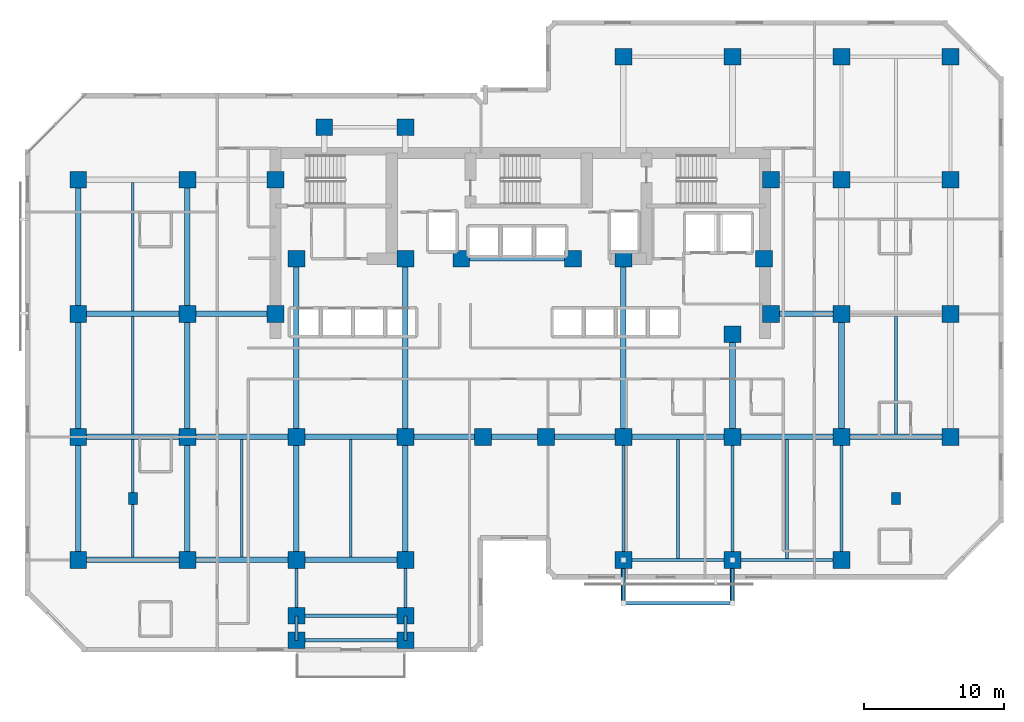
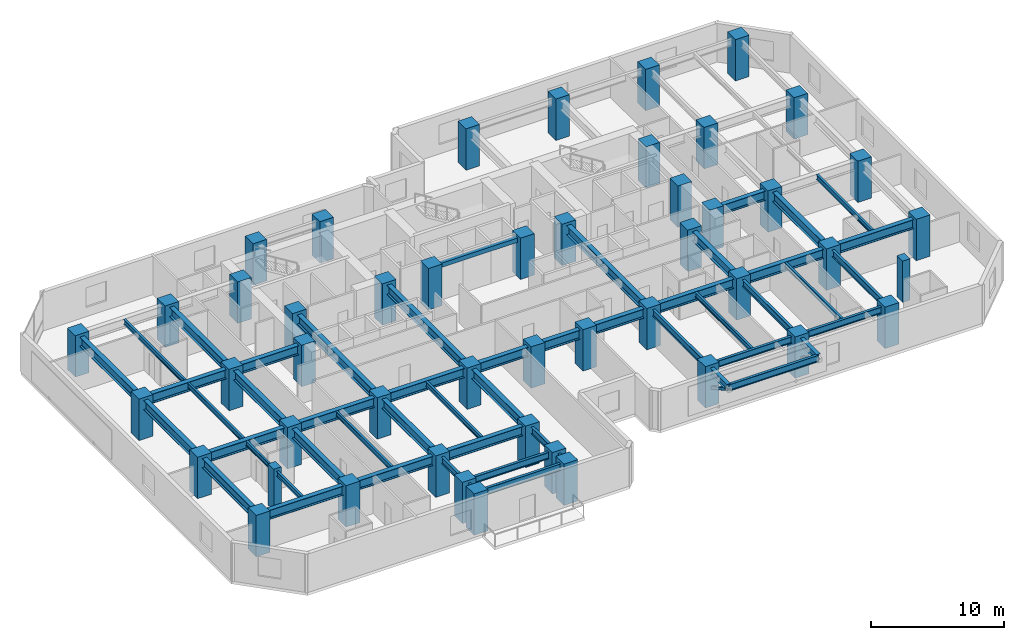
# One storey, part 1 of 12: 51 beams, 48 columns, 2 members.
"""IFC4 building model written with IfcOpenShell, lengths in metres."""

from ifc_helpers import new_model, si_unit, direction, frame, origin, origin_2d, place, context, subcontext, project, spatial, rectangle, hollow_rectangle, i_section, extrude, material, material_profile, profile_set, type_object, element, save


model = new_model("IFC4")

# Units and contexts
model_context = context("Model", 3, precision=1e-05, world=origin(), true_north=direction((0.0, 1.0)))
body_context = subcontext(model_context, "Body", "Model", "MODEL_VIEW")
ifc_project = project(units=[si_unit("LENGTHUNIT", "METRE"), si_unit("AREAUNIT", "SQUARE_METRE"), si_unit("VOLUMEUNIT", "CUBIC_METRE"), si_unit("PLANEANGLEUNIT", "RADIAN"), si_unit("MASSUNIT", "GRAM", prefix="KILO")], contexts=[model_context])

# Site, building, storey
site_placement = place(None, origin())
site = spatial("IfcSite", under=ifc_project, at=site_placement, CompositionType="ELEMENT")
building_placement = place(site_placement, origin())
building = spatial("IfcBuilding", under=site, at=building_placement, Name="Kestravale Grand Hotel", CompositionType="ELEMENT")
storey_placement = place(building_placement, frame((0.0, 0.0, 103.199951171875)))
storey = spatial("IfcBuildingStorey", under=building, at=storey_placement, Name="L25", CompositionType="ELEMENT", Elevation=103.199951171875)

# Columns
ifc_material_1 = material(Name="Precast concrete f'c 45 MPa", Category="concrete")
ifc_material_profile_1 = material_profile(ifc_material_1, rectangle(XDim=0.64990234375, YDim=0.85009765625, at=origin_2d()))
ifc_profile_set_1 = profile_set([ifc_material_profile_1], Name="Precast concrete f'c 45 MPa")
column_type_1 = type_object("IfcColumnType", Name="C-Z1-PIL850", PredefinedType="PILASTER", material=ifc_profile_set_1)
for number, where, z_axis, x_axis, name in (
    (1, (11.699951171875, 15.60009765625, 0.0), (0.0, 0.0, 1.0), (1.0, 0.0, 0.0), "L25 Art Deco fluted pilaster P1"),
    (2, (66.300048828125, 15.60009765625, 0.0), (0.0, 0.0, 1.0), (1.0, 0.0, 0.0), "L25 Art Deco fluted pilaster P2"),
):
    element("IfcColumn", number, at=place(storey_placement, frame(where, z_axis=z_axis, x_axis=x_axis)), inside=storey, type_object=column_type_1, Name=name, PredefinedType="PILASTER", context=body_context, shape_type="SweptSolid", body=[
        extrude(rectangle(XDim=0.64990234375, YDim=0.85009765625, at=origin_2d()), origin(), (0.0, 0.0, 1.0), 3.800048828125),
    ])
ifc_material_2 = material(Name="Concrete f'c 60 MPa", Category="concrete")
ifc_material_profile_2 = material_profile(ifc_material_2, rectangle(XDim=1.199951171875, YDim=1.199951171875, at=origin_2d()))
ifc_profile_set_2 = profile_set([ifc_material_profile_2], Name="Concrete f'c 60 MPa")
column_type_2 = type_object("IfcColumnType", Name="C-Z2-1200", PredefinedType="COLUMN", material=ifc_profile_set_2)
for number, where, z_axis, x_axis, name in (
    (3, (7.800048828125, 11.199951171875, 0.0), (0.0, 0.0, 1.0), (1.0, 0.0, 0.0), "L25 column 2-C"),
    (4, (7.800048828125, 20.0, 0.0), (0.0, 0.0, 1.0), (1.0, 0.0, 0.0), "L25 column 2-D"),
    (5, (7.800048828125, 28.800048828125, 0.0), (0.0, 0.0, 1.0), (1.0, 0.0, 0.0), "L25 column 2-E"),
    (6, (7.800048828125, 38.39990234375, 0.0), (0.0, 0.0, 1.0), (1.0, 0.0, 0.0), "L25 column 2-F"),
    (7, (15.60009765625, 11.199951171875, 0.0), (0.0, 0.0, 1.0), (1.0, 0.0, 0.0), "L25 column 3-C"),
    (8, (15.60009765625, 20.0, 0.0), (0.0, 0.0, 1.0), (1.0, 0.0, 0.0), "L25 column 3-D"),
    (9, (15.60009765625, 28.800048828125, 0.0), (0.0, 0.0, 1.0), (1.0, 0.0, 0.0), "L25 column 3-E"),
    (10, (15.60009765625, 38.39990234375, 0.0), (0.0, 0.0, 1.0), (1.0, 0.0, 0.0), "L25 column 3-F"),
    (11, (23.39990234375, 11.199951171875, 0.0), (0.0, 0.0, 1.0), (1.0, 0.0, 0.0), "L25 column 4-C"),
    (12, (23.39990234375, 20.0, 0.0), (0.0, 0.0, 1.0), (1.0, 0.0, 0.0), "L25 column 4-D"),
    (13, (31.199951171875, 11.199951171875, 0.0), (0.0, 0.0, 1.0), (1.0, 0.0, 0.0), "L25 column 5-C"),
    (14, (31.199951171875, 20.0, 0.0), (0.0, 0.0, 1.0), (1.0, 0.0, 0.0), "L25 column 5-D"),
    (15, (36.75, 20.0, 0.0), (0.0, 0.0, 1.0), (1.0, 0.0, 0.0), "L25 column 6-D"),
    (16, (41.25, 20.0, 0.0), (0.0, 0.0, 1.0), (1.0, 0.0, 0.0), "L25 column 7-D"),
    (17, (46.800048828125, 11.199951171875, 0.0), (0.0, 0.0, 1.0), (1.0, 0.0, 0.0), "L25 column 8-C"),
    (18, (46.800048828125, 20.0, 0.0), (0.0, 0.0, 1.0), (1.0, 0.0, 0.0), "L25 column 8-D"),
    (19, (46.800048828125, 47.199951171875, 0.0), (0.0, 0.0, 1.0), (1.0, 0.0, 0.0), "L25 column 8-G"),
    (20, (54.60009765625, 11.199951171875, 0.0), (0.0, 0.0, 1.0), (1.0, 0.0, 0.0), "L25 column 9-C"),
    (21, (54.60009765625, 20.0, 0.0), (0.0, 0.0, 1.0), (1.0, 0.0, 0.0), "L25 column 9-D"),
    (22, (54.60009765625, 47.199951171875, 0.0), (0.0, 0.0, 1.0), (1.0, 0.0, 0.0), "L25 column 9-G"),
    (23, (62.39990234375, 11.199951171875, 0.0), (0.0, 0.0, 1.0), (1.0, 0.0, 0.0), "L25 column 10-C"),
    (24, (62.39990234375, 20.0, 0.0), (0.0, 0.0, 1.0), (1.0, 0.0, 0.0), "L25 column 10-D"),
    (25, (62.39990234375, 28.800048828125, 0.0), (0.0, 0.0, 1.0), (1.0, 0.0, 0.0), "L25 column 10-E"),
    (26, (62.39990234375, 38.39990234375, 0.0), (0.0, 0.0, 1.0), (1.0, 0.0, 0.0), "L25 column 10-F"),
    (27, (62.39990234375, 47.199951171875, 0.0), (0.0, 0.0, 1.0), (1.0, 0.0, 0.0), "L25 column 10-G"),
    (28, (70.199951171875, 20.0, 0.0), (0.0, 0.0, 1.0), (1.0, 0.0, 0.0), "L25 column 11-D"),
    (29, (70.199951171875, 28.800048828125, 0.0), (0.0, 0.0, 1.0), (1.0, 0.0, 0.0), "L25 column 11-E"),
    (30, (70.199951171875, 38.39990234375, 0.0), (0.0, 0.0, 1.0), (1.0, 0.0, 0.0), "L25 column 11-F"),
    (31, (70.199951171875, 47.199951171875, 0.0), (0.0, 0.0, 1.0), (1.0, 0.0, 0.0), "L25 column 11-G"),
    (32, (21.89990234375, 28.800048828125, 0.0), (0.0, 0.0, 1.0), (1.0, 0.0, 0.0), "L25 column CW-E"),
    (33, (21.89990234375, 38.39990234375, 0.0), (0.0, 0.0, 1.0), (1.0, 0.0, 0.0), "L25 column CW-F"),
    (34, (57.35009765625, 28.800048828125, 0.0), (0.0, 0.0, 1.0), (1.0, 0.0, 0.0), "L25 column CE-E"),
    (35, (57.35009765625, 38.39990234375, 0.0), (0.0, 0.0, 1.0), (1.0, 0.0, 0.0), "L25 column CE-F"),
    (36, (23.39990234375, 32.75, 0.0), (0.0, 0.0, 1.0), (1.0, 0.0, 0.0), "L25 column 4-CS"),
    (37, (31.199951171875, 32.75, 0.0), (0.0, 0.0, 1.0), (1.0, 0.0, 0.0), "L25 column 5-CS"),
    (38, (35.199951171875, 32.75, 0.0), (0.0, 0.0, 1.0), (1.0, 0.0, 0.0), "L25 column 6C-CS"),
    (39, (43.199951171875, 32.75, 0.0), (0.0, 0.0, 1.0), (1.0, 0.0, 0.0), "L25 column 7C-CS"),
    (40, (46.800048828125, 32.75, 0.0), (0.0, 0.0, 1.0), (1.0, 0.0, 0.0), "L25 column 8-CS"),
    (41, (54.60009765625, 27.35009765625, 0.0), (0.0, 0.0, 1.0), (1.0, 0.0, 0.0), "L25 column 9-CS"),
    (42, (56.85009765625, 32.75, 0.0), (0.0, 0.0, 1.0), (1.0, 0.0, 0.0), "L25 column 9C-CS"),
    (43, (23.39990234375, 7.199951171875, 0.0), (0.0, 0.0, 1.0), (1.0, 0.0, 0.0), "L25 column 4-BS"),
    (44, (31.199951171875, 7.199951171875, 0.0), (0.0, 0.0, 1.0), (1.0, 0.0, 0.0), "L25 column 5-BS"),
    (45, (25.39990234375, 42.14990234375, 0.0), (0.0, 0.0, 1.0), (1.0, 0.0, 0.0), "L25 column 4-FN"),
    (46, (31.199951171875, 42.14990234375, 0.0), (0.0, 0.0, 1.0), (1.0, 0.0, 0.0), "L25 column 5-FN"),
    (47, (23.39990234375, 5.449951171875, 0.0), (0.0, 0.0, 1.0), (1.0, 0.0, 0.0), "L25 column 4-B1S"),
    (48, (31.199951171875, 5.449951171875, 0.0), (0.0, 0.0, 1.0), (1.0, 0.0, 0.0), "L25 column 5-B1S"),
):
    element("IfcColumn", number, at=place(storey_placement, frame(where, z_axis=z_axis, x_axis=x_axis)), inside=storey, type_object=column_type_2, Name=name, PredefinedType="COLUMN", context=body_context, shape_type="SweptSolid", body=[
        extrude(rectangle(XDim=1.199951171875, YDim=1.199951171875, at=origin_2d()), origin(), (0.0, 0.0, 1.0), 3.800048828125),
    ])

# Beams
ifc_material_3 = material(Name="Steel ASTM A992 Grade 50", Category="steel")
ifc_material_profile_3 = material_profile(ifc_material_3, i_section(OverallWidth=0.19091796875, OverallDepth=0.45703125, WebThickness=0.009033203125, FlangeThickness=0.014404296875, FilletRadius=0.015380859375, at=origin_2d()))
ifc_profile_set_3 = profile_set([ifc_material_profile_3], Name="Steel ASTM A992 Grade 50")
beam_type_1 = type_object("IfcBeamType", Name="B-FLR-JST18", PredefinedType="JOIST", material=ifc_profile_set_3)
for number, where, z_axis, x_axis, name in (
    (49, (11.699951171875, 11.400390625, 3.3115234375), (0.0, 1.0, 0.0), (-1.0, 0.0, 0.0), "L25 floor joist 2-3/C-D #1"),
    (50, (11.699951171875, 20.200439453125, 3.3115234375), (0.0, 1.0, 0.0), (-1.0, 0.0, 0.0), "L25 floor joist 2-3/D-E #1"),
):
    element("IfcBeam", number, at=place(storey_placement, frame(where, z_axis=z_axis, x_axis=x_axis)), inside=storey, type_object=beam_type_1, Name=name, PredefinedType="JOIST", context=body_context, shape_type="SweptSolid", body=[
        extrude(i_section(OverallWidth=0.19091796875, OverallDepth=0.45703125, WebThickness=0.009033203125, FlangeThickness=0.014404296875, FilletRadius=0.015380859375, at=origin_2d()), origin(), (0.0, 0.0, 1.0), 8.399169921875),
    ])
beam_1_placement = place(storey_placement, frame((11.699951171875, 29.00048828125, 3.3115234375), z_axis=(0.0, 1.0, 0.0), x_axis=(-1.0, 0.0, 0.0)))
element("IfcBeam", 51, at=beam_1_placement, inside=storey, type_object=beam_type_1, Name="L25 floor joist 2-3/E-F #1", PredefinedType="JOIST", context=body_context, shape_type="SweptSolid", body=[
    extrude(i_section(OverallWidth=0.19091796875, OverallDepth=0.45703125, WebThickness=0.009033203125, FlangeThickness=0.014404296875, FilletRadius=0.015380859375, at=origin_2d()), origin(), (0.0, 0.0, 1.0), 9.198974609375),
])
for number, where, z_axis, x_axis, name in (
    (52, (19.5, 11.400390625, 3.3115234375), (0.0, 1.0, 0.0), (-1.0, 0.0, 0.0), "L25 floor joist 3-4/C-D #1"),
    (53, (27.300048828125, 11.400390625, 3.3115234375), (0.0, 1.0, 0.0), (-1.0, 0.0, 0.0), "L25 floor joist 4-5/C-D #1"),
):
    element("IfcBeam", number, at=place(storey_placement, frame(where, z_axis=z_axis, x_axis=x_axis)), inside=storey, type_object=beam_type_1, Name=name, PredefinedType="JOIST", context=body_context, shape_type="SweptSolid", body=[
        extrude(i_section(OverallWidth=0.19091796875, OverallDepth=0.45703125, WebThickness=0.009033203125, FlangeThickness=0.014404296875, FilletRadius=0.015380859375, at=origin_2d()), origin(), (0.0, 0.0, 1.0), 8.399169921875),
    ])
for number, where, z_axis, x_axis, name in (
    (54, (50.699951171875, 11.314453125, 3.3115234375), (0.0, 1.0, 0.0), (-1.0, 0.0, 0.0), "L25 floor joist 8-9/C-D #1"),
    (55, (58.5, 11.314453125, 3.3115234375), (0.0, 1.0, 0.0), (-1.0, 0.0, 0.0), "L25 floor joist 9-10/C-D #1"),
):
    element("IfcBeam", number, at=place(storey_placement, frame(where, z_axis=z_axis, x_axis=x_axis)), inside=storey, type_object=beam_type_1, Name=name, PredefinedType="JOIST", context=body_context, shape_type="SweptSolid", body=[
        extrude(i_section(OverallWidth=0.19091796875, OverallDepth=0.45703125, WebThickness=0.009033203125, FlangeThickness=0.014404296875, FilletRadius=0.015380859375, at=origin_2d()), origin(), (0.0, 0.0, 1.0), 8.485107421875),
    ])
beam_2_placement = place(storey_placement, frame((66.300048828125, 20.200439453125, 3.3115234375), z_axis=(0.0, 1.0, 0.0), x_axis=(-1.0, 0.0, 0.0)))
element("IfcBeam", 56, at=beam_2_placement, inside=storey, type_object=beam_type_1, Name="L25 floor joist 10-11/D-E #1", PredefinedType="JOIST", context=body_context, shape_type="SweptSolid", body=[
    extrude(i_section(OverallWidth=0.19091796875, OverallDepth=0.45703125, WebThickness=0.009033203125, FlangeThickness=0.014404296875, FilletRadius=0.015380859375, at=origin_2d()), origin(), (0.0, 0.0, 1.0), 8.399169921875),
])
ifc_material_4 = material(Name="Concrete f'c 45 MPa", Category="concrete")
ifc_material_profile_4 = material_profile(ifc_material_4, rectangle(XDim=0.300048828125, YDim=0.39990234375, at=origin_2d()))
ifc_profile_set_4 = profile_set([ifc_material_profile_4], Name="Concrete f'c 45 MPa")
beam_type_2 = type_object("IfcBeamType", Name="B-FLR-LNT400", PredefinedType="LINTEL", material=ifc_profile_set_4)
beam_3_placement = place(storey_placement, frame((35.199951171875, 32.75, 3.340087890625), z_axis=(1.0, 0.0, 0.0), x_axis=(0.0, 1.0, 0.0)))
element("IfcBeam", 57, at=beam_3_placement, inside=storey, type_object=beam_type_2, Name="L25 core portal header lintel", PredefinedType="LINTEL", context=body_context, shape_type="SweptSolid", body=[
    extrude(rectangle(XDim=0.300048828125, YDim=0.39990234375, at=origin_2d()), origin(), (0.0, 0.0, 1.0), 8.0),
])
ifc_material_5 = material(Name="Steel ASTM A992 Grade 50", Category="steel")
ifc_material_profile_5 = material_profile(ifc_material_5, i_section(OverallWidth=0.324951171875, OverallDepth=0.612060546875, WebThickness=0.0126953125, FlangeThickness=0.01904296875, FilletRadius=0.018798828125, at=origin_2d()))
ifc_profile_set_5 = profile_set([ifc_material_profile_5], Name="Steel ASTM A992 Grade 50")
beam_type_3 = type_object("IfcBeamType", Name="B-FLR-W24A", PredefinedType="SPANDREL", material=ifc_profile_set_5)
for number, where, z_axis, x_axis, name in (
    (58, (46.800048828125, 11.199951171875, 3.22412109375), (0.0, -1.0, 0.0), (1.0, 0.0, 0.0), "L26 terrace cantilever beam 1"),
    (59, (54.60009765625, 11.199951171875, 3.22412109375), (0.0, -1.0, 0.0), (1.0, 0.0, 0.0), "L26 terrace cantilever beam 2"),
):
    element("IfcBeam", number, at=place(storey_placement, frame(where, z_axis=z_axis, x_axis=x_axis)), inside=storey, type_object=beam_type_3, Name=name, PredefinedType="SPANDREL", context=body_context, shape_type="SweptSolid", body=[
        extrude(i_section(OverallWidth=0.324951171875, OverallDepth=0.612060546875, WebThickness=0.0126953125, FlangeThickness=0.01904296875, FilletRadius=0.018798828125, at=origin_2d()), origin(), (0.0, 0.0, 1.0), 3.099853515625),
    ])
ifc_material_6 = material(Name="Steel ASTM A992 Grade 50", Category="steel")
ifc_material_profile_6 = material_profile(ifc_material_6, i_section(OverallWidth=0.22900390625, OverallDepth=0.612060546875, WebThickness=0.011962890625, FlangeThickness=0.01953125, FilletRadius=0.019287109375, at=origin_2d()))
ifc_profile_set_6 = profile_set([ifc_material_profile_6], Name="Steel ASTM A992 Grade 50")
beam_type_4 = type_object("IfcBeamType", Name="B-FLR-W24B", PredefinedType="SPANDREL", material=ifc_profile_set_6)
beam_4_placement = place(storey_placement, frame((46.800048828125, 11.199951171875, 3.234130859375), z_axis=(1.0, 0.0, 0.0), x_axis=(0.0, 1.0, 0.0)))
element("IfcBeam", 60, at=beam_4_placement, inside=storey, type_object=beam_type_4, Name="L25 spandrel C:8-9", PredefinedType="SPANDREL", context=body_context, shape_type="SweptSolid", body=[
    extrude(i_section(OverallWidth=0.22900390625, OverallDepth=0.612060546875, WebThickness=0.011962890625, FlangeThickness=0.01953125, FilletRadius=0.019287109375, at=origin_2d()), origin(), (0.0, 0.0, 1.0), 7.800048828125),
])
beam_5_placement = place(storey_placement, frame((54.60009765625, 11.199951171875, 3.234130859375), z_axis=(1.0, 0.0, 0.0), x_axis=(0.0, 1.0, 0.0)))
element("IfcBeam", 61, at=beam_5_placement, inside=storey, type_object=beam_type_4, Name="L25 spandrel C:9-10", PredefinedType="SPANDREL", context=body_context, shape_type="SweptSolid", body=[
    extrude(i_section(OverallWidth=0.22900390625, OverallDepth=0.612060546875, WebThickness=0.011962890625, FlangeThickness=0.01953125, FilletRadius=0.019287109375, at=origin_2d()), origin(), (0.0, 0.0, 1.0), 7.7998046875),
])
for number, where, z_axis, x_axis, name in (
    (62, (23.39990234375, 5.449951171875, 3.234130859375), (1.0, 0.0, 0.0), (0.0, 1.0, 0.0), "L25 perimeter tie spandrel B1S:4-5"),
    (63, (23.39990234375, 7.199951171875, 3.234130859375), (1.0, 0.0, 0.0), (0.0, 1.0, 0.0), "L25 perimeter tie spandrel BS:4-5"),
):
    element("IfcBeam", number, at=place(storey_placement, frame(where, z_axis=z_axis, x_axis=x_axis)), inside=storey, type_object=beam_type_4, Name=name, PredefinedType="SPANDREL", context=body_context, shape_type="SweptSolid", body=[
        extrude(i_section(OverallWidth=0.22900390625, OverallDepth=0.612060546875, WebThickness=0.011962890625, FlangeThickness=0.01953125, FilletRadius=0.019287109375, at=origin_2d()), origin(), (0.0, 0.0, 1.0), 7.800048828125),
    ])
beam_6_placement = place(storey_placement, frame((23.39990234375, 5.449951171875, 3.234130859375), z_axis=(0.0, 1.0, 0.0), x_axis=(-1.0, 0.0, 0.0)))
element("IfcBeam", 64, at=beam_6_placement, inside=storey, type_object=beam_type_4, Name="L25 spandrel 4:B1S-BS", PredefinedType="SPANDREL", context=body_context, shape_type="SweptSolid", body=[
    extrude(i_section(OverallWidth=0.22900390625, OverallDepth=0.612060546875, WebThickness=0.011962890625, FlangeThickness=0.01953125, FilletRadius=0.019287109375, at=origin_2d()), origin(), (0.0, 0.0, 1.0), 1.75),
])
beam_7_placement = place(storey_placement, frame((23.39990234375, 7.199951171875, 3.234130859375), z_axis=(0.0, 1.0, 0.0), x_axis=(-1.0, 0.0, 0.0)))
element("IfcBeam", 65, at=beam_7_placement, inside=storey, type_object=beam_type_4, Name="L25 spandrel 4:BS-C", PredefinedType="SPANDREL", context=body_context, shape_type="SweptSolid", body=[
    extrude(i_section(OverallWidth=0.22900390625, OverallDepth=0.612060546875, WebThickness=0.011962890625, FlangeThickness=0.01953125, FilletRadius=0.019287109375, at=origin_2d()), origin(), (0.0, 0.0, 1.0), 4.0),
])
beam_8_placement = place(storey_placement, frame((31.199951171875, 5.449951171875, 3.234130859375), z_axis=(0.0, 1.0, 0.0), x_axis=(-1.0, 0.0, 0.0)))
element("IfcBeam", 66, at=beam_8_placement, inside=storey, type_object=beam_type_4, Name="L25 spandrel 5:B1S-BS", PredefinedType="SPANDREL", context=body_context, shape_type="SweptSolid", body=[
    extrude(i_section(OverallWidth=0.22900390625, OverallDepth=0.612060546875, WebThickness=0.011962890625, FlangeThickness=0.01953125, FilletRadius=0.019287109375, at=origin_2d()), origin(), (0.0, 0.0, 1.0), 1.75),
])
beam_9_placement = place(storey_placement, frame((31.199951171875, 7.199951171875, 3.234130859375), z_axis=(0.0, 1.0, 0.0), x_axis=(-1.0, 0.0, 0.0)))
element("IfcBeam", 67, at=beam_9_placement, inside=storey, type_object=beam_type_4, Name="L25 spandrel 5:BS-C", PredefinedType="SPANDREL", context=body_context, shape_type="SweptSolid", body=[
    extrude(i_section(OverallWidth=0.22900390625, OverallDepth=0.612060546875, WebThickness=0.011962890625, FlangeThickness=0.01953125, FilletRadius=0.019287109375, at=origin_2d()), origin(), (0.0, 0.0, 1.0), 4.0),
])
for number, where, z_axis, x_axis, name in (
    (68, (46.800048828125, 11.199951171875, 3.234130859375), (0.0, 1.0, 0.0), (-1.0, 0.0, 0.0), "L25 spandrel 8:C-D"),
    (69, (54.60009765625, 11.199951171875, 3.234130859375), (0.0, 1.0, 0.0), (-1.0, 0.0, 0.0), "L25 spandrel 9:C-D"),
    (70, (62.39990234375, 11.199951171875, 3.234130859375), (0.0, 1.0, 0.0), (-1.0, 0.0, 0.0), "L25 spandrel 10:C-D"),
):
    element("IfcBeam", number, at=place(storey_placement, frame(where, z_axis=z_axis, x_axis=x_axis)), inside=storey, type_object=beam_type_4, Name=name, PredefinedType="SPANDREL", context=body_context, shape_type="SweptSolid", body=[
        extrude(i_section(OverallWidth=0.22900390625, OverallDepth=0.612060546875, WebThickness=0.011962890625, FlangeThickness=0.01953125, FilletRadius=0.019287109375, at=origin_2d()), origin(), (0.0, 0.0, 1.0), 8.800048828125),
    ])
beam_10_placement = place(storey_placement, frame((46.800048828125, 8.10009765625, 3.22412109375), z_axis=(1.0, 0.0, 0.0), x_axis=(0.0, 1.0, 0.0)))
element("IfcBeam", 71, at=beam_10_placement, inside=storey, type_object=beam_type_4, Name="L26 terrace edge spandrel", PredefinedType="SPANDREL", context=body_context, shape_type="SweptSolid", body=[
    extrude(i_section(OverallWidth=0.22900390625, OverallDepth=0.612060546875, WebThickness=0.011962890625, FlangeThickness=0.01953125, FilletRadius=0.019287109375, at=origin_2d()), origin(), (0.0, 0.0, 1.0), 7.800048828125),
])
ifc_material_7 = material(Name="Steel ASTM A992 Grade 50", Category="steel")
ifc_material_profile_7 = material_profile(ifc_material_7, i_section(OverallWidth=0.40087890625, OverallDepth=0.861083984375, WebThickness=0.019775390625, FlangeThickness=0.032470703125, FilletRadius=0.0234375, at=origin_2d()))
ifc_profile_set_7 = profile_set([ifc_material_profile_7], Name="Steel ASTM A992 Grade 50")
beam_type_5 = type_object("IfcBeamType", Name="B-GRD-W33", PredefinedType="BEAM", material=ifc_profile_set_7)
beam_11_placement = place(storey_placement, frame((7.800048828125, 11.199951171875, 3.109619140625), z_axis=(1.0, 0.0, 0.0), x_axis=(0.0, 1.0, 0.0)))
element("IfcBeam", 72, at=beam_11_placement, inside=storey, type_object=beam_type_5, Name="L25 girder C:2-3", PredefinedType="BEAM", context=body_context, shape_type="SweptSolid", body=[
    extrude(i_section(OverallWidth=0.40087890625, OverallDepth=0.861083984375, WebThickness=0.019775390625, FlangeThickness=0.032470703125, FilletRadius=0.0234375, at=origin_2d()), origin(), (0.0, 0.0, 1.0), 7.800048828125),
])
beam_12_placement = place(storey_placement, frame((15.60009765625, 11.199951171875, 3.109619140625), z_axis=(1.0, 0.0, 0.0), x_axis=(0.0, 1.0, 0.0)))
element("IfcBeam", 73, at=beam_12_placement, inside=storey, type_object=beam_type_5, Name="L25 girder C:3-4", PredefinedType="BEAM", context=body_context, shape_type="SweptSolid", body=[
    extrude(i_section(OverallWidth=0.40087890625, OverallDepth=0.861083984375, WebThickness=0.019775390625, FlangeThickness=0.032470703125, FilletRadius=0.0234375, at=origin_2d()), origin(), (0.0, 0.0, 1.0), 7.7998046875),
])
for number, where, z_axis, x_axis, name in (
    (74, (23.39990234375, 11.199951171875, 3.109619140625), (1.0, 0.0, 0.0), (0.0, 1.0, 0.0), "L25 girder C:4-5"),
    (75, (7.800048828125, 20.0, 3.109619140625), (1.0, 0.0, 0.0), (0.0, 1.0, 0.0), "L25 girder D:2-3"),
):
    element("IfcBeam", number, at=place(storey_placement, frame(where, z_axis=z_axis, x_axis=x_axis)), inside=storey, type_object=beam_type_5, Name=name, PredefinedType="BEAM", context=body_context, shape_type="SweptSolid", body=[
        extrude(i_section(OverallWidth=0.40087890625, OverallDepth=0.861083984375, WebThickness=0.019775390625, FlangeThickness=0.032470703125, FilletRadius=0.0234375, at=origin_2d()), origin(), (0.0, 0.0, 1.0), 7.800048828125),
    ])
beam_13_placement = place(storey_placement, frame((15.60009765625, 20.0, 3.109619140625), z_axis=(1.0, 0.0, 0.0), x_axis=(0.0, 1.0, 0.0)))
element("IfcBeam", 76, at=beam_13_placement, inside=storey, type_object=beam_type_5, Name="L25 girder D:3-4", PredefinedType="BEAM", context=body_context, shape_type="SweptSolid", body=[
    extrude(i_section(OverallWidth=0.40087890625, OverallDepth=0.861083984375, WebThickness=0.019775390625, FlangeThickness=0.032470703125, FilletRadius=0.0234375, at=origin_2d()), origin(), (0.0, 0.0, 1.0), 7.7998046875),
])
beam_14_placement = place(storey_placement, frame((23.39990234375, 20.0, 3.109619140625), z_axis=(1.0, 0.0, 0.0), x_axis=(0.0, 1.0, 0.0)))
element("IfcBeam", 77, at=beam_14_placement, inside=storey, type_object=beam_type_5, Name="L25 girder D:4-5", PredefinedType="BEAM", context=body_context, shape_type="SweptSolid", body=[
    extrude(i_section(OverallWidth=0.40087890625, OverallDepth=0.861083984375, WebThickness=0.019775390625, FlangeThickness=0.032470703125, FilletRadius=0.0234375, at=origin_2d()), origin(), (0.0, 0.0, 1.0), 7.800048828125),
])
beam_15_placement = place(storey_placement, frame((31.199951171875, 20.0, 3.109619140625), z_axis=(1.0, 0.0, 0.0), x_axis=(0.0, 1.0, 0.0)))
element("IfcBeam", 78, at=beam_15_placement, inside=storey, type_object=beam_type_5, Name="L25 girder D:5-6", PredefinedType="BEAM", context=body_context, shape_type="SweptSolid", body=[
    extrude(i_section(OverallWidth=0.40087890625, OverallDepth=0.861083984375, WebThickness=0.019775390625, FlangeThickness=0.032470703125, FilletRadius=0.0234375, at=origin_2d()), origin(), (0.0, 0.0, 1.0), 5.550048828125),
])
beam_16_placement = place(storey_placement, frame((36.75, 20.0, 3.109619140625), z_axis=(1.0, 0.0, 0.0), x_axis=(0.0, 1.0, 0.0)))
element("IfcBeam", 79, at=beam_16_placement, inside=storey, type_object=beam_type_5, Name="L25 girder D:6-7", PredefinedType="BEAM", context=body_context, shape_type="SweptSolid", body=[
    extrude(i_section(OverallWidth=0.40087890625, OverallDepth=0.861083984375, WebThickness=0.019775390625, FlangeThickness=0.032470703125, FilletRadius=0.0234375, at=origin_2d()), origin(), (0.0, 0.0, 1.0), 4.5),
])
beam_17_placement = place(storey_placement, frame((41.25, 20.0, 3.109619140625), z_axis=(1.0, 0.0, 0.0), x_axis=(0.0, 1.0, 0.0)))
element("IfcBeam", 80, at=beam_17_placement, inside=storey, type_object=beam_type_5, Name="L25 girder D:7-8", PredefinedType="BEAM", context=body_context, shape_type="SweptSolid", body=[
    extrude(i_section(OverallWidth=0.40087890625, OverallDepth=0.861083984375, WebThickness=0.019775390625, FlangeThickness=0.032470703125, FilletRadius=0.0234375, at=origin_2d()), origin(), (0.0, 0.0, 1.0), 5.550048828125),
])
beam_18_placement = place(storey_placement, frame((46.800048828125, 20.0, 3.109619140625), z_axis=(1.0, 0.0, 0.0), x_axis=(0.0, 1.0, 0.0)))
element("IfcBeam", 81, at=beam_18_placement, inside=storey, type_object=beam_type_5, Name="L25 girder D:8-9", PredefinedType="BEAM", context=body_context, shape_type="SweptSolid", body=[
    extrude(i_section(OverallWidth=0.40087890625, OverallDepth=0.861083984375, WebThickness=0.019775390625, FlangeThickness=0.032470703125, FilletRadius=0.0234375, at=origin_2d()), origin(), (0.0, 0.0, 1.0), 7.800048828125),
])
beam_19_placement = place(storey_placement, frame((54.60009765625, 20.0, 3.109619140625), z_axis=(1.0, 0.0, 0.0), x_axis=(0.0, 1.0, 0.0)))
element("IfcBeam", 82, at=beam_19_placement, inside=storey, type_object=beam_type_5, Name="L25 girder D:9-10", PredefinedType="BEAM", context=body_context, shape_type="SweptSolid", body=[
    extrude(i_section(OverallWidth=0.40087890625, OverallDepth=0.861083984375, WebThickness=0.019775390625, FlangeThickness=0.032470703125, FilletRadius=0.0234375, at=origin_2d()), origin(), (0.0, 0.0, 1.0), 7.7998046875),
])
for number, where, z_axis, x_axis, name in (
    (83, (62.39990234375, 20.0, 3.109619140625), (1.0, 0.0, 0.0), (0.0, 1.0, 0.0), "L25 girder D:10-11"),
    (84, (7.800048828125, 28.800048828125, 3.109619140625), (1.0, 0.0, 0.0), (0.0, 1.0, 0.0), "L25 girder E:2-3"),
):
    element("IfcBeam", number, at=place(storey_placement, frame(where, z_axis=z_axis, x_axis=x_axis)), inside=storey, type_object=beam_type_5, Name=name, PredefinedType="BEAM", context=body_context, shape_type="SweptSolid", body=[
        extrude(i_section(OverallWidth=0.40087890625, OverallDepth=0.861083984375, WebThickness=0.019775390625, FlangeThickness=0.032470703125, FilletRadius=0.0234375, at=origin_2d()), origin(), (0.0, 0.0, 1.0), 7.800048828125),
    ])
beam_20_placement = place(storey_placement, frame((15.60009765625, 28.800048828125, 3.109619140625), z_axis=(1.0, 0.0, 0.0), x_axis=(0.0, 1.0, 0.0)))
element("IfcBeam", 85, at=beam_20_placement, inside=storey, type_object=beam_type_5, Name="L25 girder E:3-CW", PredefinedType="BEAM", context=body_context, shape_type="SweptSolid", body=[
    extrude(i_section(OverallWidth=0.40087890625, OverallDepth=0.861083984375, WebThickness=0.019775390625, FlangeThickness=0.032470703125, FilletRadius=0.0234375, at=origin_2d()), origin(), (0.0, 0.0, 1.0), 6.2998046875),
])
beam_21_placement = place(storey_placement, frame((57.35009765625, 28.800048828125, 3.109619140625), z_axis=(1.0, 0.0, 0.0), x_axis=(0.0, 1.0, 0.0)))
element("IfcBeam", 86, at=beam_21_placement, inside=storey, type_object=beam_type_5, Name="L25 girder E:CE-10", PredefinedType="BEAM", context=body_context, shape_type="SweptSolid", body=[
    extrude(i_section(OverallWidth=0.40087890625, OverallDepth=0.861083984375, WebThickness=0.019775390625, FlangeThickness=0.032470703125, FilletRadius=0.0234375, at=origin_2d()), origin(), (0.0, 0.0, 1.0), 5.0498046875),
])
for number, where, z_axis, x_axis, name in (
    (87, (7.800048828125, 11.199951171875, 3.109619140625), (0.0, 1.0, 0.0), (-1.0, 0.0, 0.0), "L25 girder 2:C-D"),
    (88, (7.800048828125, 20.0, 3.109619140625), (0.0, 1.0, 0.0), (-1.0, 0.0, 0.0), "L25 girder 2:D-E"),
):
    element("IfcBeam", number, at=place(storey_placement, frame(where, z_axis=z_axis, x_axis=x_axis)), inside=storey, type_object=beam_type_5, Name=name, PredefinedType="BEAM", context=body_context, shape_type="SweptSolid", body=[
        extrude(i_section(OverallWidth=0.40087890625, OverallDepth=0.861083984375, WebThickness=0.019775390625, FlangeThickness=0.032470703125, FilletRadius=0.0234375, at=origin_2d()), origin(), (0.0, 0.0, 1.0), 8.800048828125),
    ])
beam_22_placement = place(storey_placement, frame((7.800048828125, 28.800048828125, 3.109619140625), z_axis=(0.0, 1.0, 0.0), x_axis=(-1.0, 0.0, 0.0)))
element("IfcBeam", 89, at=beam_22_placement, inside=storey, type_object=beam_type_5, Name="L25 girder 2:E-F", PredefinedType="BEAM", context=body_context, shape_type="SweptSolid", body=[
    extrude(i_section(OverallWidth=0.40087890625, OverallDepth=0.861083984375, WebThickness=0.019775390625, FlangeThickness=0.032470703125, FilletRadius=0.0234375, at=origin_2d()), origin(), (0.0, 0.0, 1.0), 9.599853515625),
])
for number, where, z_axis, x_axis, name in (
    (90, (15.60009765625, 11.199951171875, 3.109619140625), (0.0, 1.0, 0.0), (-1.0, 0.0, 0.0), "L25 girder 3:C-D"),
    (91, (15.60009765625, 20.0, 3.109619140625), (0.0, 1.0, 0.0), (-1.0, 0.0, 0.0), "L25 girder 3:D-E"),
):
    element("IfcBeam", number, at=place(storey_placement, frame(where, z_axis=z_axis, x_axis=x_axis)), inside=storey, type_object=beam_type_5, Name=name, PredefinedType="BEAM", context=body_context, shape_type="SweptSolid", body=[
        extrude(i_section(OverallWidth=0.40087890625, OverallDepth=0.861083984375, WebThickness=0.019775390625, FlangeThickness=0.032470703125, FilletRadius=0.0234375, at=origin_2d()), origin(), (0.0, 0.0, 1.0), 8.800048828125),
    ])
beam_23_placement = place(storey_placement, frame((15.60009765625, 28.800048828125, 3.109619140625), z_axis=(0.0, 1.0, 0.0), x_axis=(-1.0, 0.0, 0.0)))
element("IfcBeam", 92, at=beam_23_placement, inside=storey, type_object=beam_type_5, Name="L25 girder 3:E-F", PredefinedType="BEAM", context=body_context, shape_type="SweptSolid", body=[
    extrude(i_section(OverallWidth=0.40087890625, OverallDepth=0.861083984375, WebThickness=0.019775390625, FlangeThickness=0.032470703125, FilletRadius=0.0234375, at=origin_2d()), origin(), (0.0, 0.0, 1.0), 9.599853515625),
])
beam_24_placement = place(storey_placement, frame((23.39990234375, 11.199951171875, 3.109619140625), z_axis=(0.0, 1.0, 0.0), x_axis=(-1.0, 0.0, 0.0)))
element("IfcBeam", 93, at=beam_24_placement, inside=storey, type_object=beam_type_5, Name="L25 girder 4:C-D", PredefinedType="BEAM", context=body_context, shape_type="SweptSolid", body=[
    extrude(i_section(OverallWidth=0.40087890625, OverallDepth=0.861083984375, WebThickness=0.019775390625, FlangeThickness=0.032470703125, FilletRadius=0.0234375, at=origin_2d()), origin(), (0.0, 0.0, 1.0), 8.800048828125),
])
beam_25_placement = place(storey_placement, frame((23.39990234375, 20.0, 3.109619140625), z_axis=(0.0, 1.0, 0.0), x_axis=(-1.0, 0.0, 0.0)))
element("IfcBeam", 94, at=beam_25_placement, inside=storey, type_object=beam_type_5, Name="L25 girder 4:D-CS", PredefinedType="BEAM", context=body_context, shape_type="SweptSolid", body=[
    extrude(i_section(OverallWidth=0.40087890625, OverallDepth=0.861083984375, WebThickness=0.019775390625, FlangeThickness=0.032470703125, FilletRadius=0.0234375, at=origin_2d()), origin(), (0.0, 0.0, 1.0), 12.75),
])
beam_26_placement = place(storey_placement, frame((31.199951171875, 11.199951171875, 3.109619140625), z_axis=(0.0, 1.0, 0.0), x_axis=(-1.0, 0.0, 0.0)))
element("IfcBeam", 95, at=beam_26_placement, inside=storey, type_object=beam_type_5, Name="L25 girder 5:C-D", PredefinedType="BEAM", context=body_context, shape_type="SweptSolid", body=[
    extrude(i_section(OverallWidth=0.40087890625, OverallDepth=0.861083984375, WebThickness=0.019775390625, FlangeThickness=0.032470703125, FilletRadius=0.0234375, at=origin_2d()), origin(), (0.0, 0.0, 1.0), 8.800048828125),
])
for number, where, z_axis, x_axis, name in (
    (96, (31.199951171875, 20.0, 3.109619140625), (0.0, 1.0, 0.0), (-1.0, 0.0, 0.0), "L25 girder 5:D-CS"),
    (97, (46.800048828125, 20.0, 3.109619140625), (0.0, 1.0, 0.0), (-1.0, 0.0, 0.0), "L25 girder 8:D-CS"),
):
    element("IfcBeam", number, at=place(storey_placement, frame(where, z_axis=z_axis, x_axis=x_axis)), inside=storey, type_object=beam_type_5, Name=name, PredefinedType="BEAM", context=body_context, shape_type="SweptSolid", body=[
        extrude(i_section(OverallWidth=0.40087890625, OverallDepth=0.861083984375, WebThickness=0.019775390625, FlangeThickness=0.032470703125, FilletRadius=0.0234375, at=origin_2d()), origin(), (0.0, 0.0, 1.0), 12.75),
    ])
beam_27_placement = place(storey_placement, frame((54.60009765625, 20.0, 3.109619140625), z_axis=(0.0, 1.0, 0.0), x_axis=(-1.0, 0.0, 0.0)))
element("IfcBeam", 98, at=beam_27_placement, inside=storey, type_object=beam_type_5, Name="L25 girder 9:D-CS", PredefinedType="BEAM", context=body_context, shape_type="SweptSolid", body=[
    extrude(i_section(OverallWidth=0.40087890625, OverallDepth=0.861083984375, WebThickness=0.019775390625, FlangeThickness=0.032470703125, FilletRadius=0.0234375, at=origin_2d()), origin(), (0.0, 0.0, 1.0), 7.35009765625),
])
beam_28_placement = place(storey_placement, frame((62.39990234375, 20.0, 3.109619140625), z_axis=(0.0, 1.0, 0.0), x_axis=(-1.0, 0.0, 0.0)))
element("IfcBeam", 99, at=beam_28_placement, inside=storey, type_object=beam_type_5, Name="L25 girder 10:D-E", PredefinedType="BEAM", context=body_context, shape_type="SweptSolid", body=[
    extrude(i_section(OverallWidth=0.40087890625, OverallDepth=0.861083984375, WebThickness=0.019775390625, FlangeThickness=0.032470703125, FilletRadius=0.0234375, at=origin_2d()), origin(), (0.0, 0.0, 1.0), 8.800048828125),
])

# Members
ifc_material_8 = material(Name="Steel ASTM A500 Grade C", Category="steel")
ifc_material_profile_8 = material_profile(ifc_material_8, hollow_rectangle(XDim=0.25, YDim=0.25, WallThickness=0.011962890625, InnerFilletRadius=0.011962890625, OuterFilletRadius=0.02392578125, at=origin_2d()))
ifc_profile_set_8 = profile_set([ifc_material_profile_8], Name="Steel ASTM A500 Grade C")
member_type = type_object("IfcMemberType", Name="M-BLT-STR250", PredefinedType="STRUT", material=ifc_profile_set_8)
for number, where, z_axis, x_axis, name in (
    (100, (46.800048828125, 11.199951171875, 1.3740234375), (0.0, -0.876808651978, 0.480839461583), (1.0, 0.0, 0.0), "L26 terrace knee-brace strut 1"),
    (101, (54.60009765625, 11.199951171875, 1.3740234375), (0.0, -0.876808651978, 0.480839461583), (1.0, 0.0, 0.0), "L26 terrace knee-brace strut 2"),
):
    element("IfcMember", number, at=place(storey_placement, frame(where, z_axis=z_axis, x_axis=x_axis)), inside=storey, type_object=member_type, Name=name, PredefinedType="STRUT", context=body_context, shape_type="SweptSolid", body=[
        extrude(hollow_rectangle(XDim=0.25, YDim=0.25, WallThickness=0.011962890625, InnerFilletRadius=0.011962890625, OuterFilletRadius=0.02392578125, at=origin_2d()), origin(), (0.0, 0.0, 1.0), 3.535400390625),
    ])

save(model, "model.ifc")
